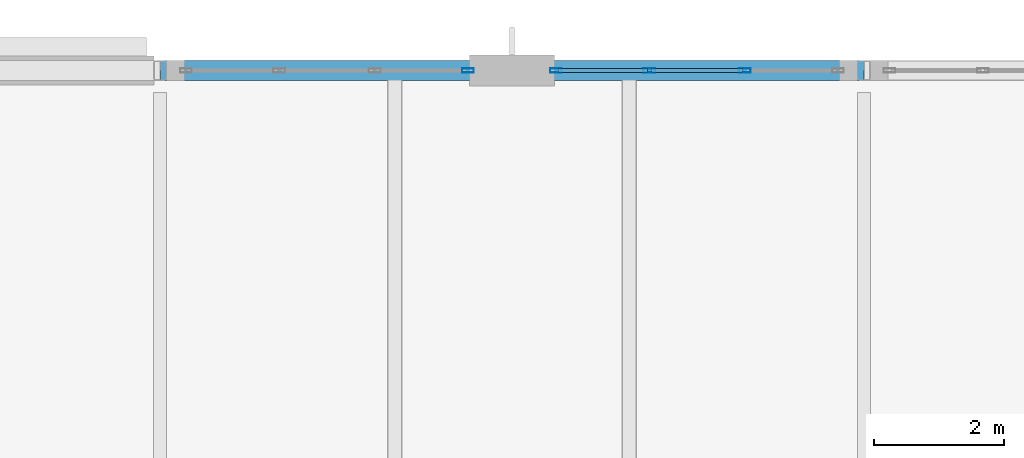
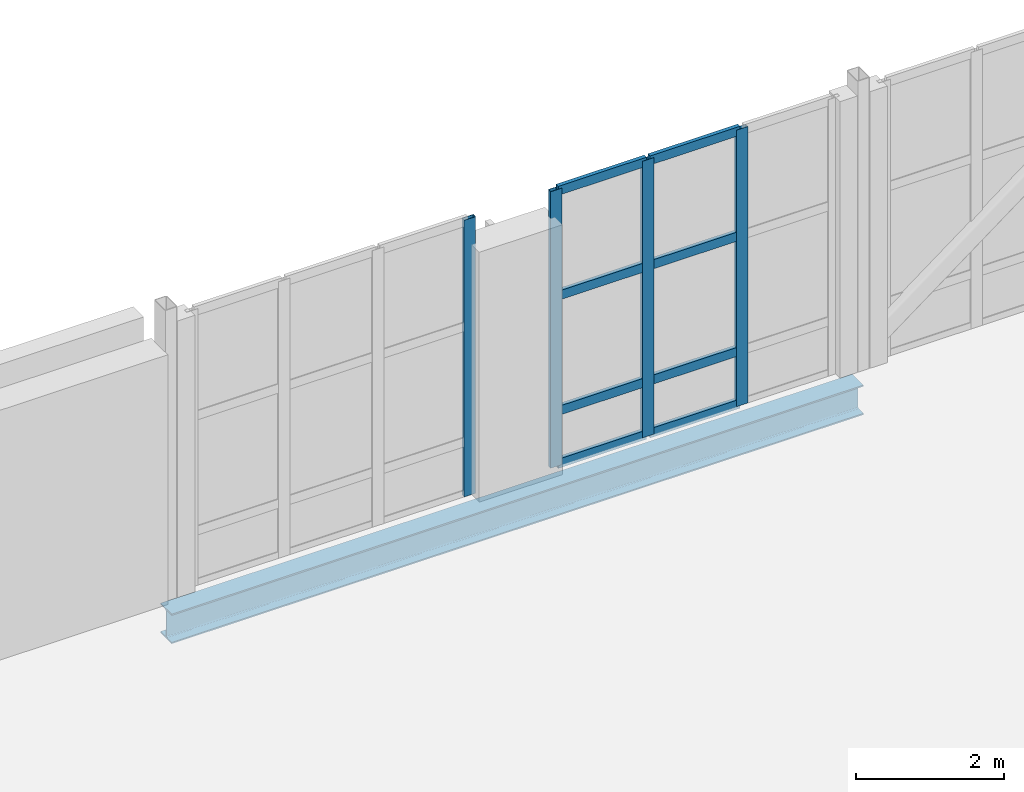
# One storey, part 49 of 100: 12 members, 1 beam, 2 elements without a shape of their own.
"""IFC4 building model written with IfcOpenShell, lengths in metres."""

from ifc_helpers import new_model, si_unit, direction, frame, origin, origin_2d, place, context, subcontext, project, spatial, hollow_rectangle, i_section, extrude, material, layer, layer_set, material_profile, profile_set, type_object, element, aggregate, save


model = new_model("IFC4")

# Units and contexts
model_context = context("Model", 3, precision=1e-05, world=origin(), true_north=direction((0.0, 1.0)))
body_context = subcontext(model_context, "Body", "Model", "MODEL_VIEW")
ifc_project = project(units=[si_unit("LENGTHUNIT", "METRE"), si_unit("AREAUNIT", "SQUARE_METRE"), si_unit("VOLUMEUNIT", "CUBIC_METRE"), si_unit("PLANEANGLEUNIT", "RADIAN"), si_unit("MASSUNIT", "GRAM", prefix="KILO")], contexts=[model_context])

# Site, building, storey
site_placement = place(None, origin())
site = spatial("IfcSite", under=ifc_project, at=site_placement, CompositionType="ELEMENT")
building_placement = place(site_placement, origin())
building = spatial("IfcBuilding", under=site, at=building_placement, Name="Tasgan Crest Museum", CompositionType="ELEMENT")
storey_placement = place(building_placement, frame((0.0, 0.0, 9.60009765625)))
storey = spatial("IfcBuildingStorey", under=building, at=storey_placement, Name="L02", CompositionType="ELEMENT", Elevation=9.60009765625)

# Beam
ifc_material_1 = material(Name="Steel S355J2", Category="steel")
ifc_material_profile_1 = material_profile(ifc_material_1, i_section(OverallWidth=0.300048828125, OverallDepth=0.489990234375, WebThickness=0.011962890625, FlangeThickness=0.02294921875, FilletRadius=0.027099609375, at=origin_2d()), Name="HEA 500")
ifc_profile_set_1 = profile_set([ifc_material_profile_1], Name="Steel S355J2")
beam_type = type_object("IfcBeamType", Name="BM-G-HEA500", PredefinedType="BEAM", material=ifc_profile_set_1)
beam_placement = place(storey_placement, frame((54.00537109375, 112.0, -0.485107421875), z_axis=(1.0, 0.0, 0.0), x_axis=(0.0, 1.0, 0.0)))
element("IfcBeam", 1, at=beam_placement, inside=storey, type_object=beam_type, Name="Girder L02 M 54.0-64.8", PredefinedType="BEAM", context=body_context, shape_type="SweptSolid", body=[
    extrude(i_section(OverallWidth=0.300048828125, OverallDepth=0.489990234375, WebThickness=0.011962890625, FlangeThickness=0.02294921875, FilletRadius=0.027099609375, at=origin_2d()), origin(), (0.0, 0.0, 1.0), 10.789306640625),
])

# Curtain wall, members
ifc_material_2 = material(Name="Triple-Glazed Aluminium Curtain Wall", Category="aluminium")
ifc_layer = layer(ifc_material_2, 0.179931640625, Name="CW-CORE-STRIP-48")
ifc_layer_set = layer_set([ifc_layer], Name="Triple-Glazed Aluminium Curtain Wall")
curtain_wall_type = type_object("IfcCurtainWallType", Name="CW-CORE-STRIP-48", PredefinedType="NOTDEFINED", material=ifc_layer_set)
curtain_wall_1_placement = place(storey_placement, origin())
curtain_wall_1 = element("IfcCurtainWall", 2, at=curtain_wall_1_placement, inside=storey, type_object=curtain_wall_type, Name="Curtain wall L02 085", PredefinedType="NOTDEFINED")
ifc_material_3 = material(Name="Anodised Aluminium", Category="aluminium")
ifc_material_profile_2 = material_profile(ifc_material_3, hollow_rectangle(XDim=0.06494140625, YDim=0.179931640625, WallThickness=0.0048828125, at=origin_2d()), Name="ALU MULLION 180x65x5")
ifc_profile_set_2 = profile_set([ifc_material_profile_2], Name="Anodised Aluminium")
member_type_1 = type_object("IfcMemberType", Name="CW-MULLION-180", PredefinedType="MULLION", material=ifc_profile_set_2)
member_1_placement = place(storey_placement, frame((62.9716796875, 112.0, 0.0), z_axis=(0.0, 0.0, 1.0), x_axis=(0.0, -1.0, 0.0)))
member_1 = element("IfcMember", 3, at=member_1_placement, type_object=member_type_1, Name="CW19 mullion 2", PredefinedType="MULLION", context=body_context, shape_type="SweptSolid", body=[
    extrude(hollow_rectangle(XDim=0.06494140625, YDim=0.179931640625, WallThickness=0.0048828125, at=origin_2d()), origin(), (0.0, 0.0, 1.0), 4.559814453125),
])
member_2_placement = place(storey_placement, frame((61.50830078125, 112.0, 0.0), z_axis=(0.0, 0.0, 1.0), x_axis=(0.0, -1.0, 0.0)))
member_2 = element("IfcMember", 4, at=member_2_placement, type_object=member_type_1, Name="CW19 mullion 3", PredefinedType="MULLION", context=body_context, shape_type="SweptSolid", body=[
    extrude(hollow_rectangle(XDim=0.06494140625, YDim=0.179931640625, WallThickness=0.0048828125, at=origin_2d()), origin(), (0.0, 0.0, 1.0), 4.559814453125),
])
member_3_placement = place(storey_placement, frame((60.074951171875, 112.0, 0.0), z_axis=(0.0, 0.0, 1.0), x_axis=(0.0, -1.0, 0.0)))
member_3 = element("IfcMember", 5, at=member_3_placement, type_object=member_type_1, Name="CW19 mullion 4", PredefinedType="MULLION", context=body_context, shape_type="SweptSolid", body=[
    extrude(hollow_rectangle(XDim=0.06494140625, YDim=0.179931640625, WallThickness=0.0048828125, at=origin_2d()), origin(), (0.0, 0.0, 1.0), 4.559814453125),
])

# Curtain wall, member
curtain_wall_2_placement = place(storey_placement, origin())
curtain_wall_2 = element("IfcCurtainWall", 6, at=curtain_wall_2_placement, inside=storey, type_object=curtain_wall_type, Name="Curtain wall L02 086", PredefinedType="NOTDEFINED")
member_4_placement = place(storey_placement, frame((58.72509765625, 112.0, 0.0), z_axis=(0.0, 0.0, 1.0), x_axis=(0.0, -1.0, 0.0)))
member_4 = element("IfcMember", 7, at=member_4_placement, type_object=member_type_1, Name="CW19 mullion 1", PredefinedType="MULLION", context=body_context, shape_type="SweptSolid", body=[
    extrude(hollow_rectangle(XDim=0.06494140625, YDim=0.179931640625, WallThickness=0.0048828125, at=origin_2d()), origin(), (0.0, 0.0, 1.0), 4.559814453125),
])
aggregate(curtain_wall_2, [member_4])

# Member
ifc_material_4 = material(Name="Anodised Aluminium", Category="aluminium")
ifc_material_profile_3 = material_profile(ifc_material_4, hollow_rectangle(XDim=0.06005859375, YDim=0.14990234375, WallThickness=0.0048828125, at=origin_2d()), Name="ALU TRANSOM 150x60x5")
ifc_profile_set_3 = profile_set([ifc_material_profile_3], Name="Anodised Aluminium")
member_type_2 = type_object("IfcMemberType", Name="CW-TRANSOM-150", PredefinedType="USERDEFINED", material=ifc_profile_set_3)
member_5_placement = place(storey_placement, frame((62.941650390625, 112.0, 0.02978515625), z_axis=(-1.0, 0.0, 0.0), x_axis=(0.0, -1.0, 0.0)))
member_5 = element("IfcMember", 8, at=member_5_placement, type_object=member_type_2, Name="CW19 transom 2.1", ObjectType="TRANSOM", PredefinedType="USERDEFINED", context=body_context, shape_type="SweptSolid", body=[
    extrude(hollow_rectangle(XDim=0.06005859375, YDim=0.14990234375, WallThickness=0.0048828125, at=origin_2d()), origin(), (0.0, 0.0, 1.0), 1.4033203125),
])

member_6_placement = place(storey_placement, frame((62.941650390625, 112.0, 0.89990234375), z_axis=(-1.0, 0.0, 0.0), x_axis=(0.0, -1.0, 0.0)))
member_6 = element("IfcMember", 9, at=member_6_placement, type_object=member_type_2, Name="CW19 transom 2.2", ObjectType="TRANSOM", PredefinedType="USERDEFINED", context=body_context, shape_type="SweptSolid", body=[
    extrude(hollow_rectangle(XDim=0.06005859375, YDim=0.14990234375, WallThickness=0.0048828125, at=origin_2d()), origin(), (0.0, 0.0, 1.0), 1.4033203125),
])

member_7_placement = place(storey_placement, frame((62.941650390625, 112.0, 2.7998046875), z_axis=(-1.0, 0.0, 0.0), x_axis=(0.0, -1.0, 0.0)))
member_7 = element("IfcMember", 10, at=member_7_placement, type_object=member_type_2, Name="CW19 transom 2.3", ObjectType="TRANSOM", PredefinedType="USERDEFINED", context=body_context, shape_type="SweptSolid", body=[
    extrude(hollow_rectangle(XDim=0.06005859375, YDim=0.14990234375, WallThickness=0.0048828125, at=origin_2d()), origin(), (0.0, 0.0, 1.0), 1.4033203125),
])

member_8_placement = place(storey_placement, frame((62.941650390625, 112.0, 4.52978515625), z_axis=(-1.0, 0.0, 0.0), x_axis=(0.0, -1.0, 0.0)))
member_8 = element("IfcMember", 11, at=member_8_placement, type_object=member_type_2, Name="CW19 transom 2.4", ObjectType="TRANSOM", PredefinedType="USERDEFINED", context=body_context, shape_type="SweptSolid", body=[
    extrude(hollow_rectangle(XDim=0.06005859375, YDim=0.14990234375, WallThickness=0.0048828125, at=origin_2d()), origin(), (0.0, 0.0, 1.0), 1.4033203125),
])

member_9_placement = place(storey_placement, frame((61.478271484375, 112.0, 0.02978515625), z_axis=(-1.0, 0.0, 0.0), x_axis=(0.0, -1.0, 0.0)))
member_9 = element("IfcMember", 12, at=member_9_placement, type_object=member_type_2, Name="CW19 transom 3.1", ObjectType="TRANSOM", PredefinedType="USERDEFINED", context=body_context, shape_type="SweptSolid", body=[
    extrude(hollow_rectangle(XDim=0.06005859375, YDim=0.14990234375, WallThickness=0.0048828125, at=origin_2d()), origin(), (0.0, 0.0, 1.0), 1.373291015625),
])

member_10_placement = place(storey_placement, frame((61.478271484375, 112.0, 0.89990234375), z_axis=(-1.0, 0.0, 0.0), x_axis=(0.0, -1.0, 0.0)))
member_10 = element("IfcMember", 13, at=member_10_placement, type_object=member_type_2, Name="CW19 transom 3.2", ObjectType="TRANSOM", PredefinedType="USERDEFINED", context=body_context, shape_type="SweptSolid", body=[
    extrude(hollow_rectangle(XDim=0.06005859375, YDim=0.14990234375, WallThickness=0.0048828125, at=origin_2d()), origin(), (0.0, 0.0, 1.0), 1.373291015625),
])

member_11_placement = place(storey_placement, frame((61.478271484375, 112.0, 2.7998046875), z_axis=(-1.0, 0.0, 0.0), x_axis=(0.0, -1.0, 0.0)))
member_11 = element("IfcMember", 14, at=member_11_placement, type_object=member_type_2, Name="CW19 transom 3.3", ObjectType="TRANSOM", PredefinedType="USERDEFINED", context=body_context, shape_type="SweptSolid", body=[
    extrude(hollow_rectangle(XDim=0.06005859375, YDim=0.14990234375, WallThickness=0.0048828125, at=origin_2d()), origin(), (0.0, 0.0, 1.0), 1.373291015625),
])

member_12_placement = place(storey_placement, frame((61.478271484375, 112.0, 4.52978515625), z_axis=(-1.0, 0.0, 0.0), x_axis=(0.0, -1.0, 0.0)))
member_12 = element("IfcMember", 15, at=member_12_placement, type_object=member_type_2, Name="CW19 transom 3.4", ObjectType="TRANSOM", PredefinedType="USERDEFINED", context=body_context, shape_type="SweptSolid", body=[
    extrude(hollow_rectangle(XDim=0.06005859375, YDim=0.14990234375, WallThickness=0.0048828125, at=origin_2d()), origin(), (0.0, 0.0, 1.0), 1.373291015625),
])

aggregate(curtain_wall_1, [member_1, member_2, member_3, member_5, member_6, member_7, member_8, member_9, member_10, member_11, member_12])

save(model, "model.ifc")
